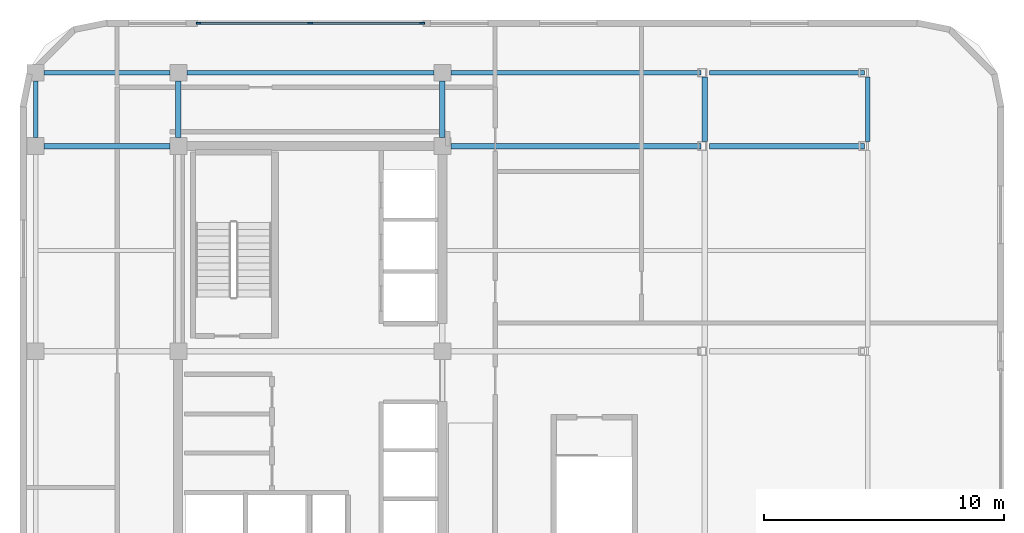
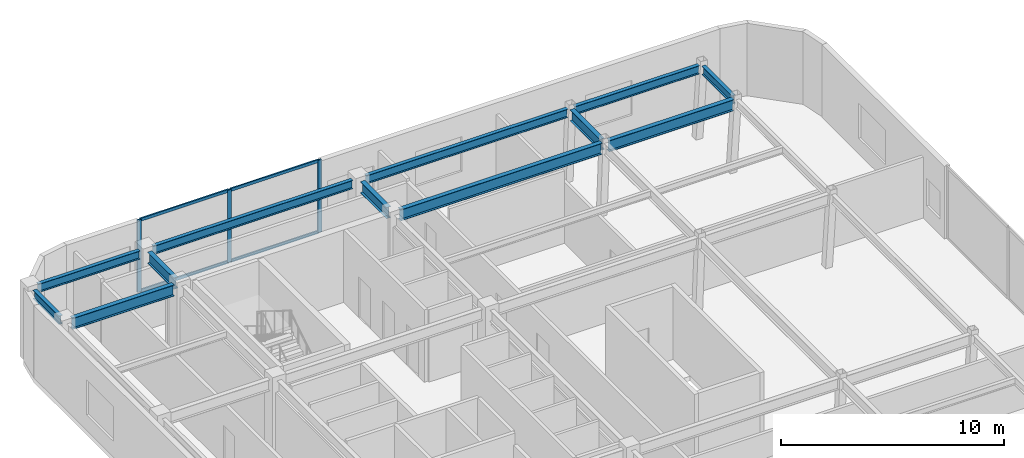
# One storey, part 5 of 10: 12 beams, 7 members, 1 element without a shape of its own.
"""IFC4 building model written with IfcOpenShell, lengths in metres."""

from ifc_helpers import new_model, si_unit, direction, frame, origin, origin_2d, place, context, subcontext, project, spatial, rectangle, i_section, extrude, material, layer, layer_set, material_profile, profile_set, type_object, element, aggregate, save


model = new_model("IFC4")

# Units and contexts
model_context = context("Model", 3, precision=1e-05, world=origin(), true_north=direction((0.0, 1.0)))
body_context = subcontext(model_context, "Body", "Model", "MODEL_VIEW")
ifc_project = project(units=[si_unit("LENGTHUNIT", "METRE"), si_unit("AREAUNIT", "SQUARE_METRE"), si_unit("VOLUMEUNIT", "CUBIC_METRE"), si_unit("PLANEANGLEUNIT", "RADIAN"), si_unit("MASSUNIT", "GRAM", prefix="KILO")], contexts=[model_context])

# Site, building, storey
site_placement = place(None, origin())
site = spatial("IfcSite", under=ifc_project, at=site_placement, CompositionType="ELEMENT")
building_placement = place(site_placement, origin())
building = spatial("IfcBuilding", under=site, at=building_placement, Name="Ochreholt Gables", CompositionType="ELEMENT")
storey_placement = place(building_placement, frame((0.0, 0.0, 173.39990234375)))
storey = spatial("IfcBuildingStorey", under=building, at=storey_placement, Name="L45", CompositionType="ELEMENT", Elevation=173.39990234375)

# Beams
ifc_material_1 = material(Name="Steel CSA G40.21 350W", Category="steel")
ifc_material_profile_1 = material_profile(ifc_material_1, i_section(OverallWidth=0.22900390625, OverallDepth=0.612060546875, WebThickness=0.011962890625, FlangeThickness=0.01953125, at=origin_2d()), Name="W610X125")
ifc_profile_set_1 = profile_set([ifc_material_profile_1], Name="Steel CSA G40.21 350W")
beam_type_1 = type_object("IfcBeamType", Name="BM-G-W610B", PredefinedType="BEAM", material=ifc_profile_set_1)
beam_1_placement = place(storey_placement, frame((18.599609375, 38.75, 3.654052734375), z_axis=(1.0, 0.0, 0.0), x_axis=(0.0, 1.0, 0.0)))
element("IfcBeam", 1, at=beam_1_placement, inside=storey, type_object=beam_type_1, Name="L45 Beam TBG-L45-W3C1-Y5", PredefinedType="BEAM", context=body_context, shape_type="SweptSolid", body=[
    extrude(i_section(OverallWidth=0.22900390625, OverallDepth=0.612060546875, WebThickness=0.011962890625, FlangeThickness=0.01953125, at=origin_2d()), origin(), (0.0, 0.0, 1.0), 5.250732421875),
])
beam_2_placement = place(storey_placement, frame((35.549560546875, 38.75, 3.654052734375), z_axis=(1.0, 0.0, 0.0), x_axis=(0.0, 1.0, 0.0)))
element("IfcBeam", 2, at=beam_2_placement, inside=storey, type_object=beam_type_1, Name="L45 Beam TBG-L45-C2EM-Y5", PredefinedType="BEAM", context=body_context, shape_type="SweptSolid", body=[
    extrude(i_section(OverallWidth=0.22900390625, OverallDepth=0.612060546875, WebThickness=0.011962890625, FlangeThickness=0.01953125, at=origin_2d()), origin(), (0.0, 0.0, 1.0), 10.4248046875),
])
beam_3_placement = place(storey_placement, frame((46.32958984375, 38.75, 3.654052734375), z_axis=(1.0, 0.0, 0.0), x_axis=(0.0, 1.0, 0.0)))
element("IfcBeam", 3, at=beam_3_placement, inside=storey, type_object=beam_type_1, Name="L45 Beam TBG-L45-EMEE-Y5", PredefinedType="BEAM", context=body_context, shape_type="SweptSolid", body=[
    extrude(i_section(OverallWidth=0.22900390625, OverallDepth=0.612060546875, WebThickness=0.011962890625, FlangeThickness=0.01953125, at=origin_2d()), origin(), (0.0, 0.0, 1.0), 6.450439453125),
])
for number, where, z_axis, x_axis, name in (
    (4, (24.199951171875, 39.099609375, 3.654052734375), (0.0, 1.0, 0.0), (-1.0, 0.0, 0.0), "L45 Beam TBN-L45-C1-Y5Y6"),
    (5, (35.199951171875, 39.099609375, 3.654052734375), (0.0, 1.0, 0.0), (-1.0, 0.0, 0.0), "L45 Beam TBN-L45-C2-Y5Y6"),
):
    element("IfcBeam", number, at=place(storey_placement, frame(where, z_axis=z_axis, x_axis=x_axis)), inside=storey, type_object=beam_type_1, Name=name, PredefinedType="BEAM", context=body_context, shape_type="SweptSolid", body=[
        extrude(i_section(OverallWidth=0.22900390625, OverallDepth=0.612060546875, WebThickness=0.011962890625, FlangeThickness=0.01953125, at=origin_2d()), origin(), (0.0, 0.0, 1.0), 2.350830078125),
    ])
beam_4_placement = place(storey_placement, frame((46.135009765625, 38.927490234375, 3.654052734375), z_axis=(0.0, 1.0, 0.0), x_axis=(-1.0, 0.0, 0.0)))
element("IfcBeam", 6, at=beam_4_placement, inside=storey, type_object=beam_type_1, Name="L45 Beam TBN-L45-EM-Y5Y6", PredefinedType="BEAM", context=body_context, shape_type="SweptSolid", body=[
    extrude(i_section(OverallWidth=0.22900390625, OverallDepth=0.612060546875, WebThickness=0.011962890625, FlangeThickness=0.01953125, at=origin_2d()), origin(), (0.0, 0.0, 1.0), 2.69482421875),
])
ifc_material_profile_2 = material_profile(ifc_material_1, i_section(OverallWidth=0.19189453125, OverallDepth=0.462890625, WebThickness=0.010498046875, FlangeThickness=0.017578125, at=origin_2d()), Name="W460X89")
ifc_profile_set_2 = profile_set([ifc_material_profile_2], Name="Steel CSA G40.21 350W")
beam_type_2 = type_object("IfcBeamType", Name="BM-SP-W460A", PredefinedType="SPANDREL", material=ifc_profile_set_2)
beam_5_placement = place(storey_placement, frame((18.599609375, 41.800048828125, 3.728515625), z_axis=(1.0, 0.0, 0.0), x_axis=(0.0, 1.0, 0.0)))
element("IfcBeam", 7, at=beam_5_placement, inside=storey, type_object=beam_type_2, Name="L45 Beam TBG-L45-W3C1-Y6", PredefinedType="SPANDREL", context=body_context, shape_type="SweptSolid", body=[
    extrude(i_section(OverallWidth=0.19189453125, OverallDepth=0.462890625, WebThickness=0.010498046875, FlangeThickness=0.017578125, at=origin_2d()), origin(), (0.0, 0.0, 1.0), 5.250732421875),
])
beam_6_placement = place(storey_placement, frame((24.549560546875, 41.800048828125, 3.728515625), z_axis=(1.0, 0.0, 0.0), x_axis=(0.0, 1.0, 0.0)))
element("IfcBeam", 8, at=beam_6_placement, inside=storey, type_object=beam_type_2, Name="L45 Beam TBG-L45-C1C2-Y6", PredefinedType="SPANDREL", context=body_context, shape_type="SweptSolid", body=[
    extrude(i_section(OverallWidth=0.19189453125, OverallDepth=0.462890625, WebThickness=0.010498046875, FlangeThickness=0.017578125, at=origin_2d()), origin(), (0.0, 0.0, 1.0), 10.30078125),
])
beam_7_placement = place(storey_placement, frame((35.549560546875, 41.800048828125, 3.728515625), z_axis=(1.0, 0.0, 0.0), x_axis=(0.0, 1.0, 0.0)))
element("IfcBeam", 9, at=beam_7_placement, inside=storey, type_object=beam_type_2, Name="L45 Beam TBG-L45-C2EM-Y6", PredefinedType="SPANDREL", context=body_context, shape_type="SweptSolid", body=[
    extrude(i_section(OverallWidth=0.19189453125, OverallDepth=0.462890625, WebThickness=0.010498046875, FlangeThickness=0.017578125, at=origin_2d()), origin(), (0.0, 0.0, 1.0), 10.4248046875),
])
beam_8_placement = place(storey_placement, frame((46.32958984375, 41.800048828125, 3.728515625), z_axis=(1.0, 0.0, 0.0), x_axis=(0.0, 1.0, 0.0)))
element("IfcBeam", 10, at=beam_8_placement, inside=storey, type_object=beam_type_2, Name="L45 Beam TBG-L45-EMEE-Y6", PredefinedType="SPANDREL", context=body_context, shape_type="SweptSolid", body=[
    extrude(i_section(OverallWidth=0.19189453125, OverallDepth=0.462890625, WebThickness=0.010498046875, FlangeThickness=0.017578125, at=origin_2d()), origin(), (0.0, 0.0, 1.0), 6.450439453125),
])
beam_9_placement = place(storey_placement, frame((18.25, 39.099609375, 3.728515625), z_axis=(0.0, 1.0, 0.0), x_axis=(-1.0, 0.0, 0.0)))
element("IfcBeam", 11, at=beam_9_placement, inside=storey, type_object=beam_type_2, Name="L45 Beam TBN-L45-W3-Y5Y6", PredefinedType="SPANDREL", context=body_context, shape_type="SweptSolid", body=[
    extrude(i_section(OverallWidth=0.19189453125, OverallDepth=0.462890625, WebThickness=0.010498046875, FlangeThickness=0.017578125, at=origin_2d()), origin(), (0.0, 0.0, 1.0), 2.350830078125),
])
beam_10_placement = place(storey_placement, frame((52.92919921875, 38.927490234375, 3.728515625), z_axis=(0.0, 1.0, 0.0), x_axis=(-1.0, 0.0, 0.0)))
element("IfcBeam", 12, at=beam_10_placement, inside=storey, type_object=beam_type_2, Name="L45 Beam TBN-L45-EE-Y5Y6", PredefinedType="SPANDREL", context=body_context, shape_type="SweptSolid", body=[
    extrude(i_section(OverallWidth=0.19189453125, OverallDepth=0.462890625, WebThickness=0.010498046875, FlangeThickness=0.017578125, at=origin_2d()), origin(), (0.0, 0.0, 1.0), 2.69482421875),
])

# Curtain wall, members
ifc_material_2 = material(Name="Unitised Aluminium and Triple Glazing", Category="aluminium")
ifc_layer = layer(ifc_material_2, 0.219970703125, Name="Unitised Aluminium and Triple Glazing")
ifc_layer_set = layer_set([ifc_layer], Name="Unitised Aluminium and Triple Glazing")
curtain_wall_type = type_object("IfcCurtainWallType", Name="CW-SYS6", PredefinedType="NOTDEFINED", material=ifc_layer_set)
curtain_wall_placement = place(storey_placement, origin())
curtain_wall = element("IfcCurtainWall", 13, at=curtain_wall_placement, inside=storey, type_object=curtain_wall_type, Name="L45 North Unitised Curtain Wall", PredefinedType="NOTDEFINED")
ifc_material_3 = material(Name="Anodized Aluminium 6063-T6", Category="aluminium")
ifc_material_profile_3 = material_profile(ifc_material_3, rectangle(XDim=0.074951171875, YDim=0.199951171875, at=origin_2d()), Name="CWM75X200")
ifc_profile_set_3 = profile_set([ifc_material_profile_3], Name="Anodized Aluminium 6063-T6")
member_type_1 = type_object("IfcMemberType", Name="CW-MUL-A", PredefinedType="MULLION", material=ifc_profile_set_3)
member_1_placement = place(storey_placement, frame((34.362548828125, 43.860107421875, 0.0), z_axis=(0.0, 0.0, 1.0), x_axis=(0.0, -1.0, 0.0)))
member_1 = element("IfcMember", 14, at=member_1_placement, type_object=member_type_1, Name="CW-6 mullion 1", PredefinedType="MULLION", context=body_context, shape_type="SweptSolid", body=[
    extrude(rectangle(XDim=0.074951171875, YDim=0.199951171875, at=origin_2d()), origin(), (0.0, 0.0, 1.0), 3.960205078125),
])
member_2_placement = place(storey_placement, frame((29.699951171875, 43.860107421875, 0.0), z_axis=(0.0, 0.0, 1.0), x_axis=(0.0, -1.0, 0.0)))
member_2 = element("IfcMember", 15, at=member_2_placement, type_object=member_type_1, Name="CW-6 mullion 2", PredefinedType="MULLION", context=body_context, shape_type="SweptSolid", body=[
    extrude(rectangle(XDim=0.074951171875, YDim=0.199951171875, at=origin_2d()), origin(), (0.0, 0.0, 1.0), 3.960205078125),
])
member_3_placement = place(storey_placement, frame((25.03759765625, 43.860107421875, 0.0), z_axis=(0.0, 0.0, 1.0), x_axis=(0.0, -1.0, 0.0)))
member_3 = element("IfcMember", 16, at=member_3_placement, type_object=member_type_1, Name="CW-6 mullion 3", PredefinedType="MULLION", context=body_context, shape_type="SweptSolid", body=[
    extrude(rectangle(XDim=0.074951171875, YDim=0.199951171875, at=origin_2d()), origin(), (0.0, 0.0, 1.0), 3.960205078125),
])
ifc_material_profile_4 = material_profile(ifc_material_3, rectangle(XDim=0.074951171875, YDim=0.159912109375, at=origin_2d()), Name="CWT75X160")
ifc_profile_set_4 = profile_set([ifc_material_profile_4], Name="Anodized Aluminium 6063-T6")
member_type_2 = type_object("IfcMemberType", Name="CW-TRN-A", PredefinedType="USERDEFINED", material=ifc_profile_set_4)
member_4_placement = place(storey_placement, frame((34.324951171875, 43.860107421875, 0.03759765625), z_axis=(-1.0, 0.0, 0.0), x_axis=(0.0, -1.0, 0.0)))
member_4 = element("IfcMember", 17, at=member_4_placement, type_object=member_type_2, Name="CW-6 transom 1.1", ObjectType="TRANSOM", PredefinedType="USERDEFINED", context=body_context, shape_type="SweptSolid", body=[
    extrude(rectangle(XDim=0.074951171875, YDim=0.159912109375, at=origin_2d()), origin(), (0.0, 0.0, 1.0), 4.58740234375),
])
member_5_placement = place(storey_placement, frame((34.324951171875, 43.860107421875, 3.922607421875), z_axis=(-1.0, 0.0, 0.0), x_axis=(0.0, -1.0, 0.0)))
member_5 = element("IfcMember", 18, at=member_5_placement, type_object=member_type_2, Name="CW-6 transom 1.2", ObjectType="TRANSOM", PredefinedType="USERDEFINED", context=body_context, shape_type="SweptSolid", body=[
    extrude(rectangle(XDim=0.074951171875, YDim=0.159912109375, at=origin_2d()), origin(), (0.0, 0.0, 1.0), 4.58740234375),
])
member_6_placement = place(storey_placement, frame((29.66259765625, 43.860107421875, 0.03759765625), z_axis=(-1.0, 0.0, 0.0), x_axis=(0.0, -1.0, 0.0)))
member_6 = element("IfcMember", 19, at=member_6_placement, type_object=member_type_2, Name="CW-6 transom 2.1", ObjectType="TRANSOM", PredefinedType="USERDEFINED", context=body_context, shape_type="SweptSolid", body=[
    extrude(rectangle(XDim=0.074951171875, YDim=0.159912109375, at=origin_2d()), origin(), (0.0, 0.0, 1.0), 4.587646484375),
])
member_7_placement = place(storey_placement, frame((29.66259765625, 43.860107421875, 3.922607421875), z_axis=(-1.0, 0.0, 0.0), x_axis=(0.0, -1.0, 0.0)))
member_7 = element("IfcMember", 20, at=member_7_placement, type_object=member_type_2, Name="CW-6 transom 2.2", ObjectType="TRANSOM", PredefinedType="USERDEFINED", context=body_context, shape_type="SweptSolid", body=[
    extrude(rectangle(XDim=0.074951171875, YDim=0.159912109375, at=origin_2d()), origin(), (0.0, 0.0, 1.0), 4.587646484375),
])
aggregate(curtain_wall, [member_1, member_2, member_3, member_4, member_5, member_6, member_7])

save(model, "model.ifc")
